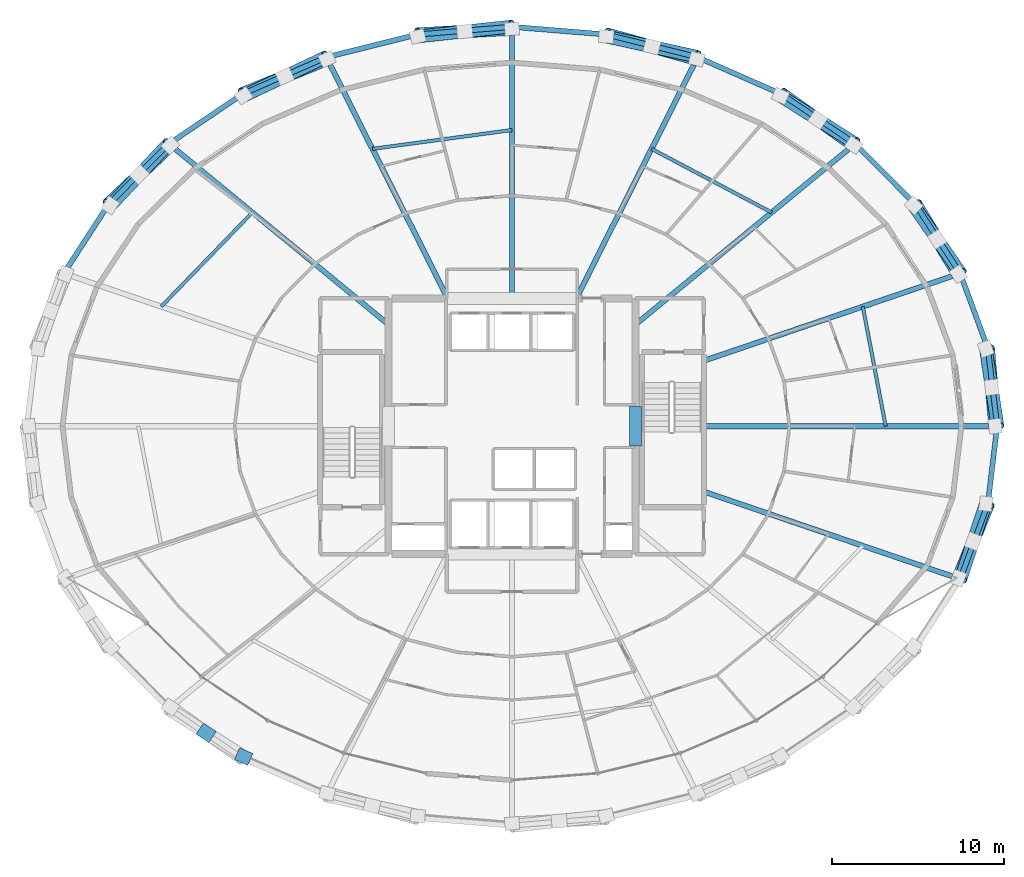
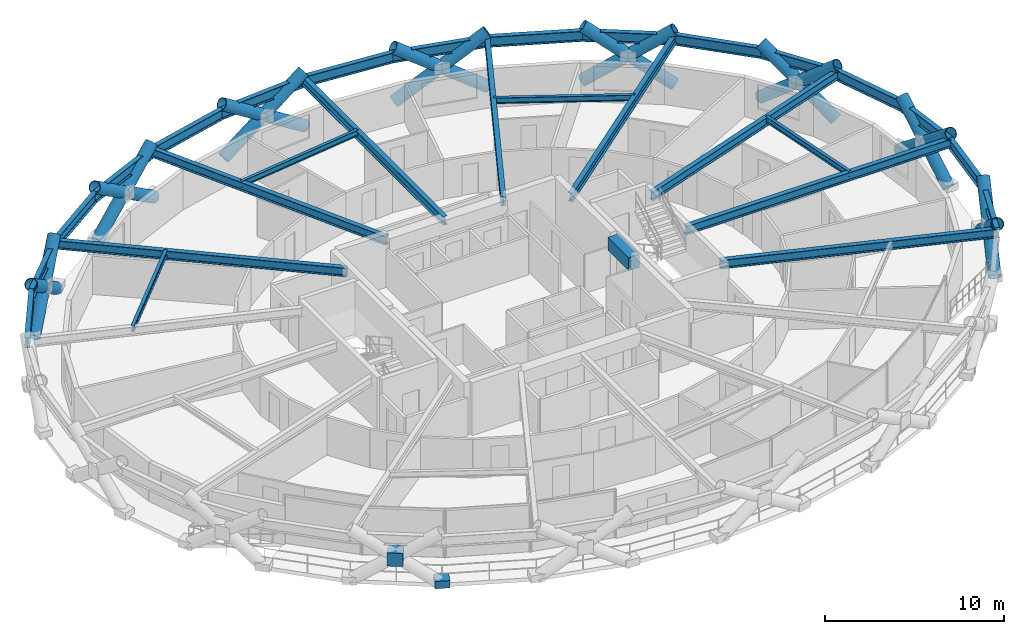
# One storey, part 11 of 19: 29 beams, 24 members, 2 plates.
"""IFC4 building model written with IfcOpenShell, lengths in metres."""

from ifc_helpers import new_model, si_unit, direction, frame, origin, origin_2d, place, context, subcontext, project, spatial, rectangle, hollow_circle, i_section, extrude, material, layer, layer_set, material_profile, profile_set, type_object, element, save


model = new_model("IFC4")

# Units and contexts
model_context = context("Model", 3, precision=1e-05, world=origin(), true_north=direction((0.0, 1.0)))
body_context = subcontext(model_context, "Body", "Model", "MODEL_VIEW")
ifc_project = project(units=[si_unit("LENGTHUNIT", "METRE"), si_unit("AREAUNIT", "SQUARE_METRE"), si_unit("VOLUMEUNIT", "CUBIC_METRE"), si_unit("PLANEANGLEUNIT", "RADIAN"), si_unit("MASSUNIT", "GRAM", prefix="KILO")], contexts=[model_context])

# Site, building, storey
site_placement = place(None, origin())
site = spatial("IfcSite", under=ifc_project, at=site_placement, CompositionType="ELEMENT")
building_placement = place(site_placement, origin())
building = spatial("IfcBuilding", under=site, at=building_placement, Name="Veldorina Hangang Commons", CompositionType="ELEMENT")
storey_placement = place(building_placement, frame((0.0, 0.0, 44.800048828125)))
storey = spatial("IfcBuildingStorey", under=building, at=storey_placement, Name="L10", CompositionType="ELEMENT", Elevation=44.800048828125)

# Beams
ifc_material_1 = material(Name="Concrete C70/85", Category="concrete")
ifc_material_profile_1 = material_profile(ifc_material_1, rectangle(XDim=0.699951171875, YDim=0.89990234375, at=origin_2d()), Name="RC-CB-700x900")
ifc_profile_set_1 = profile_set([ifc_material_profile_1], Name="Concrete C70/85")
beam_type_1 = type_object("IfcBeamType", Name="BM-CB900", PredefinedType="LINTEL", material=ifc_profile_set_1)
beam_1_placement = place(storey_placement, frame((39.199951171875, 22.85009765625, 2.889892578125), z_axis=(0.0, 1.0, 0.0), x_axis=(-1.0, 0.0, 0.0)))
element("IfcBeam", 1, at=beam_1_placement, inside=storey, type_object=beam_type_1, Name="L10 E core coupling lintel beam", PredefinedType="LINTEL", context=body_context, shape_type="SweptSolid", body=[
    extrude(rectangle(XDim=0.699951171875, YDim=0.89990234375, at=origin_2d()), origin(), (0.0, 0.0, 1.0), 2.2998046875),
])
ifc_material_2 = material(Name="Steel SM460-TMC", Category="steel")
ifc_material_profile_2 = material_profile(ifc_material_2, i_section(OverallWidth=0.300048828125, OverallDepth=0.587890625, WebThickness=0.011962890625, FlangeThickness=0.02001953125, FilletRadius=0.01806640625, at=origin_2d()), Name="H-588x300x12x20")
ifc_profile_set_2 = profile_set([ifc_material_profile_2], Name="Steel SM460-TMC")
beam_type_2 = type_object("IfcBeamType", Name="BM-FG588", PredefinedType="BEAM", material=ifc_profile_set_2)
beam_2_placement = place(storey_placement, frame((43.179931640625, 24.0, 3.0458984375), z_axis=(1.0, 0.0, 0.0), x_axis=(0.0, 1.0, 0.0)))
element("IfcBeam", 2, at=beam_2_placement, inside=storey, type_object=beam_type_2, Name="L10 radial floor girder 01", PredefinedType="BEAM", context=body_context, shape_type="SweptSolid", body=[
    extrude(i_section(OverallWidth=0.300048828125, OverallDepth=0.587890625, WebThickness=0.011962890625, FlangeThickness=0.02001953125, FilletRadius=0.01806640625, at=origin_2d()), origin(), (0.0, 0.0, 1.0), 17.09326171875),
])
beam_3_placement = place(storey_placement, frame((43.179931640625, 27.81201171875, 3.0458984375), z_axis=(0.946495801811, 0.32271612472, 0.0), x_axis=(-0.32271612472, 0.946495801811, 0.0)))
element("IfcBeam", 3, at=beam_3_placement, inside=storey, type_object=beam_type_2, Name="L10 radial floor girder 02", PredefinedType="BEAM", context=body_context, shape_type="SweptSolid", body=[
    extrude(i_section(OverallWidth=0.300048828125, OverallDepth=0.587890625, WebThickness=0.011962890625, FlangeThickness=0.02001953125, FilletRadius=0.01806640625, at=origin_2d()), origin(), (0.0, 0.0, 1.0), 15.785400390625),
])
beam_4_placement = place(storey_placement, frame((39.199951171875, 29.9267578125, 3.0458984375), z_axis=(0.772078234701, 0.635527497045, 0.0), x_axis=(-0.635527497045, 0.772078234701, 0.0)))
element("IfcBeam", 4, at=beam_4_placement, inside=storey, type_object=beam_type_2, Name="L10 radial floor girder 03", PredefinedType="BEAM", context=body_context, shape_type="SweptSolid", body=[
    extrude(i_section(OverallWidth=0.300048828125, OverallDepth=0.587890625, WebThickness=0.011962890625, FlangeThickness=0.02001953125, FilletRadius=0.01806640625, at=origin_2d()), origin(), (0.0, 0.0, 1.0), 16.568603515625),
])
beam_5_placement = place(storey_placement, frame((35.748779296875, 31.449951171875, 3.0458984375), z_axis=(0.449502945432, 0.893278848987, 0.0), x_axis=(-0.893278848987, 0.449502945432, 0.0)))
element("IfcBeam", 5, at=beam_5_placement, inside=storey, type_object=beam_type_2, Name="L10 radial floor girder 04", PredefinedType="BEAM", context=body_context, shape_type="SweptSolid", body=[
    extrude(i_section(OverallWidth=0.300048828125, OverallDepth=0.587890625, WebThickness=0.011962890625, FlangeThickness=0.02001953125, FilletRadius=0.01806640625, at=origin_2d()), origin(), (0.0, 0.0, 1.0), 15.730224609375),
])
beam_6_placement = place(storey_placement, frame((32.0, 31.449951171875, 3.0458984375), z_axis=(0.0, 1.0, 0.0), x_axis=(-1.0, 0.0, 0.0)))
element("IfcBeam", 6, at=beam_6_placement, inside=storey, type_object=beam_type_2, Name="L10 radial floor girder 05", PredefinedType="BEAM", context=body_context, shape_type="SweptSolid", body=[
    extrude(i_section(OverallWidth=0.300048828125, OverallDepth=0.587890625, WebThickness=0.011962890625, FlangeThickness=0.02001953125, FilletRadius=0.01806640625, at=origin_2d()), origin(), (0.0, 0.0, 1.0), 15.8232421875),
])
beam_7_placement = place(storey_placement, frame((28.251220703125, 31.449951171875, 3.0458984375), z_axis=(-0.449502945432, 0.893278848987, 0.0), x_axis=(-0.893278848987, -0.449502945432, 0.0)))
element("IfcBeam", 7, at=beam_7_placement, inside=storey, type_object=beam_type_2, Name="L10 radial floor girder 06", PredefinedType="BEAM", context=body_context, shape_type="SweptSolid", body=[
    extrude(i_section(OverallWidth=0.300048828125, OverallDepth=0.587890625, WebThickness=0.011962890625, FlangeThickness=0.02001953125, FilletRadius=0.01806640625, at=origin_2d()), origin(), (0.0, 0.0, 1.0), 15.730224609375),
])
beam_8_placement = place(storey_placement, frame((24.800048828125, 29.9267578125, 3.0458984375), z_axis=(-0.772078234701, 0.635527497045, 0.0), x_axis=(-0.635527497045, -0.772078234701, 0.0)))
element("IfcBeam", 8, at=beam_8_placement, inside=storey, type_object=beam_type_2, Name="L10 radial floor girder 07", PredefinedType="BEAM", context=body_context, shape_type="SweptSolid", body=[
    extrude(i_section(OverallWidth=0.300048828125, OverallDepth=0.587890625, WebThickness=0.011962890625, FlangeThickness=0.02001953125, FilletRadius=0.01806640625, at=origin_2d()), origin(), (0.0, 0.0, 1.0), 16.568603515625),
])
beam_9_placement = place(storey_placement, frame((43.179931640625, 20.18798828125, 3.0458984375), z_axis=(0.946495801811, -0.32271612472, 0.0), x_axis=(0.32271612472, 0.946495801811, 0.0)))
element("IfcBeam", 9, at=beam_9_placement, inside=storey, type_object=beam_type_2, Name="L10 radial floor girder 16", PredefinedType="BEAM", context=body_context, shape_type="SweptSolid", body=[
    extrude(i_section(OverallWidth=0.300048828125, OverallDepth=0.587890625, WebThickness=0.011962890625, FlangeThickness=0.02001953125, FilletRadius=0.01806640625, at=origin_2d()), origin(), (0.0, 0.0, 1.0), 15.785400390625),
])
ifc_material_3 = material(Name="Steel SM355-TMC", Category="steel")
ifc_material_profile_3 = material_profile(ifc_material_3, i_section(OverallWidth=0.199951171875, OverallDepth=0.39990234375, WebThickness=0.008056640625, FlangeThickness=0.012939453125, FilletRadius=0.012939453125, at=origin_2d()), Name="H-400x200x8x13")
ifc_profile_set_3 = profile_set([ifc_material_profile_3], Name="Steel SM355-TMC")
beam_type_3 = type_object("IfcBeamType", Name="BM-JST400", PredefinedType="JOIST", material=ifc_profile_set_3)
beam_10_placement = place(storey_placement, frame((53.777587890625, 24.0, 3.139892578125), z_axis=(-0.187998842427, 0.982169249797, 0.0), x_axis=(-0.982169249797, -0.187998842427, 0.0)))
element("IfcBeam", 10, at=beam_10_placement, inside=storey, type_object=beam_type_3, Name="L10 secondary floor joist 01", PredefinedType="JOIST", context=body_context, shape_type="SweptSolid", body=[
    extrude(i_section(OverallWidth=0.199951171875, OverallDepth=0.39990234375, WebThickness=0.008056640625, FlangeThickness=0.012939453125, FilletRadius=0.012939453125, at=origin_2d()), origin(), (0.0, 0.0, 1.0), 7.096923828125),
])
beam_11_placement = place(storey_placement, frame((47.131103515625, 36.455078125, 3.139892578125), z_axis=(-0.883693413733, 0.468066181779, 0.0), x_axis=(-0.468066181779, -0.883693413733, 0.0)))
element("IfcBeam", 11, at=beam_11_placement, inside=storey, type_object=beam_type_3, Name="L10 secondary floor joist 03", PredefinedType="JOIST", context=body_context, shape_type="SweptSolid", body=[
    extrude(i_section(OverallWidth=0.199951171875, OverallDepth=0.39990234375, WebThickness=0.008056640625, FlangeThickness=0.012939453125, FilletRadius=0.012939453125, at=origin_2d()), origin(), (0.0, 0.0, 1.0), 7.91943359375),
])
beam_12_placement = place(storey_placement, frame((32.0, 41.26025390625, 3.139892578125), z_axis=(-0.991002777755, -0.133841303348, 0.0), x_axis=(0.133841303348, -0.991002777755, 0.0)))
element("IfcBeam", 12, at=beam_12_placement, inside=storey, type_object=beam_type_3, Name="L10 secondary floor joist 05", PredefinedType="JOIST", context=body_context, shape_type="SweptSolid", body=[
    extrude(i_section(OverallWidth=0.199951171875, OverallDepth=0.39990234375, WebThickness=0.008056640625, FlangeThickness=0.012939453125, FilletRadius=0.012939453125, at=origin_2d()), origin(), (0.0, 0.0, 1.0), 8.20654296875),
])
beam_13_placement = place(storey_placement, frame((16.868896484375, 36.455078125, 3.139892578125), z_axis=(-0.695729750099, -0.71830363693, 0.0), x_axis=(0.71830363693, -0.695729750099, 0.0)))
element("IfcBeam", 13, at=beam_13_placement, inside=storey, type_object=beam_type_3, Name="L10 secondary floor joist 07", PredefinedType="JOIST", context=body_context, shape_type="SweptSolid", body=[
    extrude(i_section(OverallWidth=0.199951171875, OverallDepth=0.39990234375, WebThickness=0.008056640625, FlangeThickness=0.012939453125, FilletRadius=0.012939453125, at=origin_2d()), origin(), (0.0, 0.0, 1.0), 7.635498046875),
])
ifc_material_profile_4 = material_profile(ifc_material_2, i_section(OverallWidth=0.300048828125, OverallDepth=0.699951171875, WebThickness=0.012939453125, FlangeThickness=0.02392578125, FilletRadius=0.02197265625, at=origin_2d()), Name="H-700x300x13x24")
ifc_profile_set_4 = profile_set([ifc_material_profile_4], Name="Steel SM460-TMC")
beam_type_4 = type_object("IfcBeamType", Name="BM-RB700", PredefinedType="BEAM", material=ifc_profile_set_4)
beam_14_placement = place(storey_placement, frame((60.273193359375, 24.0, 2.989990234375), z_axis=(-0.118848364705, 0.992912416181, 0.0), x_axis=(-0.992912416181, -0.118848364705, 0.0)))
element("IfcBeam", 14, at=beam_14_placement, inside=storey, type_object=beam_type_4, Name="L10 perimeter hoop ring beam 00", PredefinedType="BEAM", context=body_context, shape_type="SweptSolid", body=[
    extrude(i_section(OverallWidth=0.300048828125, OverallDepth=0.699951171875, WebThickness=0.012939453125, FlangeThickness=0.02392578125, FilletRadius=0.02197265625, at=origin_2d()), origin(), (0.0, 0.0, 1.0), 4.57275390625),
])
beam_15_placement = place(storey_placement, frame((59.729736328125, 28.540283203125, 2.989990234375), z_axis=(-0.345775872121, 0.938317135226, 0.0), x_axis=(-0.938317135226, -0.345775872121, 0.0)))
element("IfcBeam", 15, at=beam_15_placement, inside=storey, type_object=beam_type_4, Name="L10 perimeter hoop ring beam 01", PredefinedType="BEAM", context=body_context, shape_type="SweptSolid", body=[
    extrude(i_section(OverallWidth=0.300048828125, OverallDepth=0.699951171875, WebThickness=0.012939453125, FlangeThickness=0.02392578125, FilletRadius=0.02197265625, at=origin_2d()), origin(), (0.0, 0.0, 1.0), 4.653076171875),
])
beam_16_placement = place(storey_placement, frame((58.120849609375, 32.90625, 2.989990234375), z_axis=(-0.544594750005, 0.838699325305, 0.0), x_axis=(-0.838699325305, -0.544594750005, 0.0)))
element("IfcBeam", 16, at=beam_16_placement, inside=storey, type_object=beam_type_4, Name="L10 perimeter hoop ring beam 02", PredefinedType="BEAM", context=body_context, shape_type="SweptSolid", body=[
    extrude(i_section(OverallWidth=0.300048828125, OverallDepth=0.699951171875, WebThickness=0.012939453125, FlangeThickness=0.02392578125, FilletRadius=0.02197265625, at=origin_2d()), origin(), (0.0, 0.0, 1.0), 4.797119140625),
])
beam_17_placement = place(storey_placement, frame((55.50830078125, 36.9296875, 2.989990234375), z_axis=(-0.706027455436, 0.708184461966, 0.0), x_axis=(-0.708184461966, -0.706027455436, 0.0)))
element("IfcBeam", 17, at=beam_17_placement, inside=storey, type_object=beam_type_4, Name="L10 perimeter hoop ring beam 03", PredefinedType="BEAM", context=body_context, shape_type="SweptSolid", body=[
    extrude(i_section(OverallWidth=0.300048828125, OverallDepth=0.699951171875, WebThickness=0.012939453125, FlangeThickness=0.02392578125, FilletRadius=0.02197265625, at=origin_2d()), origin(), (0.0, 0.0, 1.0), 4.980224609375),
])
beam_18_placement = place(storey_placement, frame((51.9921875, 40.45654296875, 2.989990234375), z_axis=(-0.828657041131, 0.559756650861, 0.0), x_axis=(-0.559756650861, -0.828657041131, 0.0)))
element("IfcBeam", 18, at=beam_18_placement, inside=storey, type_object=beam_type_4, Name="L10 perimeter hoop ring beam 04", PredefinedType="BEAM", context=body_context, shape_type="SweptSolid", body=[
    extrude(i_section(OverallWidth=0.300048828125, OverallDepth=0.699951171875, WebThickness=0.012939453125, FlangeThickness=0.02392578125, FilletRadius=0.02197265625, at=origin_2d()), origin(), (0.0, 0.0, 1.0), 5.170654296875),
])
beam_19_placement = place(storey_placement, frame((47.70751953125, 43.350830078125, 2.989990234375), z_axis=(-0.915319077128, 0.402729421628, 0.0), x_axis=(-0.402729421628, -0.915319077128, 0.0)))
element("IfcBeam", 19, at=beam_19_placement, inside=storey, type_object=beam_type_4, Name="L10 perimeter hoop ring beam 05", PredefinedType="BEAM", context=body_context, shape_type="SweptSolid", body=[
    extrude(i_section(OverallWidth=0.300048828125, OverallDepth=0.699951171875, WebThickness=0.012939453125, FlangeThickness=0.02392578125, FilletRadius=0.02197265625, at=origin_2d()), origin(), (0.0, 0.0, 1.0), 5.340087890625),
])
beam_20_placement = place(storey_placement, frame((42.819580078125, 45.50146484375, 2.989990234375), z_axis=(-0.970216014854, 0.242241376568, 0.0), x_axis=(-0.242241376568, -0.970216014854, 0.0)))
element("IfcBeam", 20, at=beam_20_placement, inside=storey, type_object=beam_type_4, Name="L10 perimeter hoop ring beam 06", PredefinedType="BEAM", context=body_context, shape_type="SweptSolid", body=[
    extrude(i_section(OverallWidth=0.300048828125, OverallDepth=0.699951171875, WebThickness=0.012939453125, FlangeThickness=0.02392578125, FilletRadius=0.02197265625, at=origin_2d()), origin(), (0.0, 0.0, 1.0), 5.466552734375),
])
for number, where, z_axis, x_axis, name in (
    (21, (37.515869140625, 46.82568359375, 2.989990234375), (-0.996725012995, 0.08086561983, 0.0), (-0.08086561983, -0.996725012995, 0.0), "L10 perimeter hoop ring beam 07"),
    (22, (32.0, 47.273193359375, 2.989990234375), (-0.996725012995, -0.08086561983, 0.0), (0.08086561983, -0.996725012995, 0.0), "L10 perimeter hoop ring beam 08"),
):
    element("IfcBeam", number, at=place(storey_placement, frame(where, z_axis=z_axis, x_axis=x_axis)), inside=storey, type_object=beam_type_4, Name=name, PredefinedType="BEAM", context=body_context, shape_type="SweptSolid", body=[
        extrude(i_section(OverallWidth=0.300048828125, OverallDepth=0.699951171875, WebThickness=0.012939453125, FlangeThickness=0.02392578125, FilletRadius=0.02197265625, at=origin_2d()), origin(), (0.0, 0.0, 1.0), 5.533935546875),
    ])
beam_21_placement = place(storey_placement, frame((26.484130859375, 46.82568359375, 2.989990234375), z_axis=(-0.970216014854, -0.242241376568, 0.0), x_axis=(0.242241376568, -0.970216014854, 0.0)))
element("IfcBeam", 23, at=beam_21_placement, inside=storey, type_object=beam_type_4, Name="L10 perimeter hoop ring beam 09", PredefinedType="BEAM", context=body_context, shape_type="SweptSolid", body=[
    extrude(i_section(OverallWidth=0.300048828125, OverallDepth=0.699951171875, WebThickness=0.012939453125, FlangeThickness=0.02392578125, FilletRadius=0.02197265625, at=origin_2d()), origin(), (0.0, 0.0, 1.0), 5.466552734375),
])
beam_22_placement = place(storey_placement, frame((21.180419921875, 45.50146484375, 2.989990234375), z_axis=(-0.915319077128, -0.402729421628, 0.0), x_axis=(0.402729421628, -0.915319077128, 0.0)))
element("IfcBeam", 24, at=beam_22_placement, inside=storey, type_object=beam_type_4, Name="L10 perimeter hoop ring beam 10", PredefinedType="BEAM", context=body_context, shape_type="SweptSolid", body=[
    extrude(i_section(OverallWidth=0.300048828125, OverallDepth=0.699951171875, WebThickness=0.012939453125, FlangeThickness=0.02392578125, FilletRadius=0.02197265625, at=origin_2d()), origin(), (0.0, 0.0, 1.0), 5.340087890625),
])
beam_23_placement = place(storey_placement, frame((16.29248046875, 43.350830078125, 2.989990234375), z_axis=(-0.828657041131, -0.559756650861, 0.0), x_axis=(0.559756650861, -0.828657041131, 0.0)))
element("IfcBeam", 25, at=beam_23_placement, inside=storey, type_object=beam_type_4, Name="L10 perimeter hoop ring beam 11", PredefinedType="BEAM", context=body_context, shape_type="SweptSolid", body=[
    extrude(i_section(OverallWidth=0.300048828125, OverallDepth=0.699951171875, WebThickness=0.012939453125, FlangeThickness=0.02392578125, FilletRadius=0.02197265625, at=origin_2d()), origin(), (0.0, 0.0, 1.0), 5.170654296875),
])
beam_24_placement = place(storey_placement, frame((12.0078125, 40.45654296875, 2.989990234375), z_axis=(-0.706027455436, -0.708184461966, 0.0), x_axis=(0.708184461966, -0.706027455436, 0.0)))
element("IfcBeam", 26, at=beam_24_placement, inside=storey, type_object=beam_type_4, Name="L10 perimeter hoop ring beam 12", PredefinedType="BEAM", context=body_context, shape_type="SweptSolid", body=[
    extrude(i_section(OverallWidth=0.300048828125, OverallDepth=0.699951171875, WebThickness=0.012939453125, FlangeThickness=0.02392578125, FilletRadius=0.02197265625, at=origin_2d()), origin(), (0.0, 0.0, 1.0), 4.980224609375),
])
beam_25_placement = place(storey_placement, frame((8.49169921875, 36.9296875, 2.989990234375), z_axis=(-0.544594750005, -0.838699325305, 0.0), x_axis=(0.838699325305, -0.544594750005, 0.0)))
element("IfcBeam", 27, at=beam_25_placement, inside=storey, type_object=beam_type_4, Name="L10 perimeter hoop ring beam 13", PredefinedType="BEAM", context=body_context, shape_type="SweptSolid", body=[
    extrude(i_section(OverallWidth=0.300048828125, OverallDepth=0.699951171875, WebThickness=0.012939453125, FlangeThickness=0.02392578125, FilletRadius=0.02197265625, at=origin_2d()), origin(), (0.0, 0.0, 1.0), 4.797119140625),
])
beam_26_placement = place(storey_placement, frame((58.120849609375, 15.09375, 2.989990234375), z_axis=(0.345775872121, 0.938317135226, 0.0), x_axis=(-0.938317135226, 0.345775872121, 0.0)))
element("IfcBeam", 28, at=beam_26_placement, inside=storey, type_object=beam_type_4, Name="L10 perimeter hoop ring beam 30", PredefinedType="BEAM", context=body_context, shape_type="SweptSolid", body=[
    extrude(i_section(OverallWidth=0.300048828125, OverallDepth=0.699951171875, WebThickness=0.012939453125, FlangeThickness=0.02392578125, FilletRadius=0.02197265625, at=origin_2d()), origin(), (0.0, 0.0, 1.0), 4.653076171875),
])
beam_27_placement = place(storey_placement, frame((59.729736328125, 19.459716796875, 2.989990234375), z_axis=(0.118848364705, 0.992912416181, 0.0), x_axis=(-0.992912416181, 0.118848364705, 0.0)))
element("IfcBeam", 29, at=beam_27_placement, inside=storey, type_object=beam_type_4, Name="L10 perimeter hoop ring beam 31", PredefinedType="BEAM", context=body_context, shape_type="SweptSolid", body=[
    extrude(i_section(OverallWidth=0.300048828125, OverallDepth=0.699951171875, WebThickness=0.012939453125, FlangeThickness=0.02392578125, FilletRadius=0.02197265625, at=origin_2d()), origin(), (0.0, 0.0, 1.0), 4.57275390625),
])

# Members
ifc_material_profile_5 = material_profile(ifc_material_2, hollow_circle(Radius=0.375, WallThickness=0.035888671875, at=origin_2d()), Name="CHS-750x36")
ifc_profile_set_5 = profile_set([ifc_material_profile_5], Name="Steel SM460-TMC")
member_type = type_object("IfcMemberType", Name="DG-CHS750", PredefinedType="BRACE", material=ifc_profile_set_5)
member_1_placement = place(storey_placement, frame((60.15087890625, 24.0, 0.0), z_axis=(-0.068222944551, 0.782085319397, 0.619425688054), x_axis=(-0.996216857447, -0.086902088226, 0.0)))
element("IfcMember", 30, at=member_1_placement, inside=storey, type_object=member_type, Name="L10 continuous perimeter diagrid brace 00", PredefinedType="BRACE", context=body_context, shape_type="SweptSolid", body=[
    extrude(hollow_circle(Radius=0.375, WallThickness=0.035888671875, at=origin_2d()), origin(), (0.0, 0.0, 1.0), 5.8115234375),
])
member_2_placement = place(storey_placement, frame((59.60986328125, 28.5166015625, 0.0), z_axis=(0.118401740997, -0.776516681178, 0.618872257887), x_axis=(0.988574077865, 0.150735837054, 0.0)))
element("IfcMember", 31, at=member_2_placement, inside=storey, type_object=member_type, Name="L10 split perimeter diagrid lower brace 01", PredefinedType="BRACE", context=body_context, shape_type="SweptSolid", body=[
    extrude(hollow_circle(Radius=0.375, WallThickness=0.035888671875, at=origin_2d()), origin(), (0.0, 0.0, 1.0), 2.899169921875),
])
member_3_placement = place(storey_placement, frame((59.953125, 26.265380859375, 1.794189453125), z_axis=(0.118244861362, -0.776499694673, 0.618923563078), x_axis=(0.988603330598, 0.150543863146, 0.0)))
element("IfcMember", 32, at=member_3_placement, inside=storey, type_object=member_type, Name="L10 split perimeter diagrid upper brace 01", PredefinedType="BRACE", context=body_context, shape_type="SweptSolid", body=[
    extrude(hollow_circle(Radius=0.375, WallThickness=0.035888671875, at=origin_2d()), origin(), (0.0, 0.0, 1.0), 2.91748046875),
])
member_4_placement = place(storey_placement, frame((58.0078125, 32.859375, 0.0), z_axis=(-0.414404734367, 0.682743431281, 0.601772484562), x_axis=(-0.854853086028, -0.518870119884, 0.0)))
element("IfcMember", 33, at=member_4_placement, inside=storey, type_object=member_type, Name="L10 continuous perimeter diagrid brace 02", PredefinedType="BRACE", context=body_context, shape_type="SweptSolid", body=[
    extrude(hollow_circle(Radius=0.375, WallThickness=0.035888671875, at=origin_2d()), origin(), (0.0, 0.0, 1.0), 5.982177734375),
])
member_5_placement = place(storey_placement, frame((55.406494140625, 36.86181640625, 0.0), z_axis=(0.456470962401, -0.65720720972, 0.599760738943), x_axis=(0.821324840422, 0.570460784371, 0.0)))
element("IfcMember", 34, at=member_5_placement, inside=storey, type_object=member_type, Name="L10 split perimeter diagrid lower brace 03", PredefinedType="BRACE", context=body_context, shape_type="SweptSolid", body=[
    extrude(hollow_circle(Radius=0.375, WallThickness=0.035888671875, at=origin_2d()), origin(), (0.0, 0.0, 1.0), 2.991943359375),
])
member_6_placement = place(storey_placement, frame((56.772216796875, 34.8955078125, 1.79443359375), z_axis=(0.455674231097, -0.65771846564, 0.59980614791), x_axis=(0.821998732713, 0.569489318089, 0.0)))
element("IfcMember", 35, at=member_6_placement, inside=storey, type_object=member_type, Name="L10 split perimeter diagrid upper brace 03", PredefinedType="BRACE", context=body_context, shape_type="SweptSolid", body=[
    extrude(hollow_circle(Radius=0.375, WallThickness=0.035888671875, at=origin_2d()), origin(), (0.0, 0.0, 1.0), 3.010009765625),
])
member_7_placement = place(storey_placement, frame((51.905517578125, 40.3701171875, 0.0), z_axis=(-0.665952245182, 0.477723007484, 0.572964514833), x_axis=(-0.582887460589, -0.812552895686, 0.0)))
element("IfcMember", 36, at=member_7_placement, inside=storey, type_object=member_type, Name="L10 continuous perimeter diagrid brace 04", PredefinedType="BRACE", context=body_context, shape_type="SweptSolid", body=[
    extrude(hollow_circle(Radius=0.375, WallThickness=0.035888671875, at=origin_2d()), origin(), (0.0, 0.0, 1.0), 6.282958984375),
])
member_8_placement = place(storey_placement, frame((47.6396484375, 43.249267578125, 0.0), z_axis=(0.693300911079, -0.439758407196, 0.570917148102), x_axis=(0.535632513689, 0.844451188808, 0.0)))
element("IfcMember", 37, at=member_8_placement, inside=storey, type_object=member_type, Name="L10 split perimeter diagrid lower brace 05", PredefinedType="BRACE", context=body_context, shape_type="SweptSolid", body=[
    extrude(hollow_circle(Radius=0.375, WallThickness=0.035888671875, at=origin_2d()), origin(), (0.0, 0.0, 1.0), 3.14404296875),
])
member_9_placement = place(storey_placement, frame((49.8193359375, 41.86669921875, 1.794921875), z_axis=(0.692846732288, -0.440481248437, 0.570911267478), x_axis=(0.536510273207, 0.843893788781, 0.0)))
element("IfcMember", 38, at=member_9_placement, inside=storey, type_object=member_type, Name="L10 split perimeter diagrid upper brace 05", PredefinedType="BRACE", context=body_context, shape_type="SweptSolid", body=[
    extrude(hollow_circle(Radius=0.375, WallThickness=0.035888671875, at=origin_2d()), origin(), (0.0, 0.0, 1.0), 3.161376953125),
])
member_10_placement = place(storey_placement, frame((42.772705078125, 45.388671875, 0.0), z_axis=(-0.803926961098, 0.223740736152, 0.551036772099), x_axis=(-0.268119641266, -0.96338562267, 0.0)))
element("IfcMember", 39, at=member_10_placement, inside=storey, type_object=member_type, Name="L10 continuous perimeter diagrid brace 06", PredefinedType="BRACE", context=body_context, shape_type="SweptSolid", body=[
    extrude(hollow_circle(Radius=0.375, WallThickness=0.035888671875, at=origin_2d()), origin(), (0.0, 0.0, 1.0), 6.532958984375),
])
member_11_placement = place(storey_placement, frame((37.491943359375, 46.7060546875, 0.0), z_axis=(0.815486896378, -0.180330084121, 0.549965619469), x_axis=(0.215915741586, 0.976411999381, 0.0)))
element("IfcMember", 40, at=member_11_placement, inside=storey, type_object=member_type, Name="L10 split perimeter diagrid lower brace 07", PredefinedType="BRACE", context=body_context, shape_type="SweptSolid", body=[
    extrude(hollow_circle(Radius=0.375, WallThickness=0.035888671875, at=origin_2d()), origin(), (0.0, 0.0, 1.0), 3.26416015625),
])
member_12_placement = place(storey_placement, frame((40.15380859375, 46.117431640625, 1.795166015625), z_axis=(0.81535927443, -0.18073623632, 0.550021514563), x_axis=(0.216411580244, 0.976302221618, 0.0)))
element("IfcMember", 41, at=member_12_placement, inside=storey, type_object=member_type, Name="L10 split perimeter diagrid upper brace 07", PredefinedType="BRACE", context=body_context, shape_type="SweptSolid", body=[
    extrude(hollow_circle(Radius=0.375, WallThickness=0.035888671875, at=origin_2d()), origin(), (0.0, 0.0, 1.0), 3.281005859375),
])
member_13_placement = place(storey_placement, frame((32.0, 47.15087890625, 0.0), z_axis=(-0.83678527237, -0.045552676349, 0.545632991691), x_axis=(0.054357229541, -0.998521552895, 0.0)))
element("IfcMember", 42, at=member_13_placement, inside=storey, type_object=member_type, Name="L10 continuous perimeter diagrid brace 08", PredefinedType="BRACE", context=body_context, shape_type="SweptSolid", body=[
    extrude(hollow_circle(Radius=0.375, WallThickness=0.035888671875, at=origin_2d()), origin(), (0.0, 0.0, 1.0), 6.59765625),
])
member_14_placement = place(storey_placement, frame((26.508056640625, 46.7060546875, 0.0), z_axis=(0.832977807874, 0.0896984482, 0.545987325842), x_axis=(-0.107065112275, 0.994252011179, 0.0)))
element("IfcMember", 43, at=member_14_placement, inside=storey, type_object=member_type, Name="L10 split perimeter diagrid lower brace 09", PredefinedType="BRACE", context=body_context, shape_type="SweptSolid", body=[
    extrude(hollow_circle(Radius=0.375, WallThickness=0.035888671875, at=origin_2d()), origin(), (0.0, 0.0, 1.0), 3.287841796875),
])
member_15_placement = place(storey_placement, frame((29.246826171875, 47.0009765625, 1.795166015625), z_axis=(0.832952180971, 0.089891177108, 0.545994725702), x_axis=(-0.10729577336, 0.994227145586, 0.0)))
element("IfcMember", 44, at=member_15_placement, inside=storey, type_object=member_type, Name="L10 split perimeter diagrid upper brace 09", PredefinedType="BRACE", context=body_context, shape_type="SweptSolid", body=[
    extrude(hollow_circle(Radius=0.375, WallThickness=0.035888671875, at=origin_2d()), origin(), (0.0, 0.0, 1.0), 3.305419921875),
])
member_16_placement = place(storey_placement, frame((21.227294921875, 45.388671875, 0.0), z_axis=(-0.768029756298, -0.313046958388, 0.558687654495), x_axis=(0.377447803378, -0.926030861108, 0.0)))
element("IfcMember", 45, at=member_16_placement, inside=storey, type_object=member_type, Name="L10 continuous perimeter diagrid brace 10", PredefinedType="BRACE", context=body_context, shape_type="SweptSolid", body=[
    extrude(hollow_circle(Radius=0.375, WallThickness=0.035888671875, at=origin_2d()), origin(), (0.0, 0.0, 1.0), 6.443359375),
])
member_17_placement = place(storey_placement, frame((16.3603515625, 43.249267578125, 0.0), z_axis=(0.748879539406, 0.353825959241, 0.560345095477), x_axis=(-0.427192285675, 0.904160799338, 0.0)))
element("IfcMember", 46, at=member_17_placement, inside=storey, type_object=member_type, Name="L10 split perimeter diagrid lower brace 11", PredefinedType="BRACE", context=body_context, shape_type="SweptSolid", body=[
    extrude(hollow_circle(Radius=0.375, WallThickness=0.035888671875, at=origin_2d()), origin(), (0.0, 0.0, 1.0), 3.20361328125),
])
member_18_placement = place(storey_placement, frame((18.759521484375, 44.3828125, 1.795166015625), z_axis=(0.748640567884, 0.354423741564, 0.560286633371), x_axis=(-0.427893587532, 0.903829119773, 0.0)))
element("IfcMember", 47, at=member_18_placement, inside=storey, type_object=member_type, Name="L10 split perimeter diagrid upper brace 11", PredefinedType="BRACE", context=body_context, shape_type="SweptSolid", body=[
    extrude(hollow_circle(Radius=0.375, WallThickness=0.035888671875, at=origin_2d()), origin(), (0.0, 0.0, 1.0), 3.220947265625),
])
member_19_placement = place(storey_placement, frame((12.094482421875, 40.3701171875, 0.0), z_axis=(-0.589108784887, -0.557114870689, 0.585298095355), x_axis=(0.687102085978, -0.726560887638, 0.0)))
element("IfcMember", 48, at=member_19_placement, inside=storey, type_object=member_type, Name="L10 continuous perimeter diagrid brace 12", PredefinedType="BRACE", context=body_context, shape_type="SweptSolid", body=[
    extrude(hollow_circle(Radius=0.375, WallThickness=0.035888671875, at=origin_2d()), origin(), (0.0, 0.0, 1.0), 6.150390625),
])
member_20_placement = place(storey_placement, frame((8.593505859375, 36.86181640625, 0.0), z_axis=(0.554701971555, 0.589225995717, 0.58746782782), x_axis=(-0.728115910105, 0.685454025775, 0.0)))
element("IfcMember", 49, at=member_20_placement, inside=storey, type_object=member_type, Name="L10 split perimeter diagrid lower brace 13", PredefinedType="BRACE", context=body_context, shape_type="SweptSolid", body=[
    extrude(hollow_circle(Radius=0.375, WallThickness=0.035888671875, at=origin_2d()), origin(), (0.0, 0.0, 1.0), 3.054931640625),
])
member_21_placement = place(storey_placement, frame((10.2880859375, 38.661865234375, 1.794677734375), z_axis=(0.553995080253, 0.589831537682, 0.587527197848), x_axis=(-0.728903011162, 0.684616973437, 0.0)))
element("IfcMember", 50, at=member_21_placement, inside=storey, type_object=member_type, Name="L10 split perimeter diagrid upper brace 13", PredefinedType="BRACE", context=body_context, shape_type="SweptSolid", body=[
    extrude(hollow_circle(Radius=0.375, WallThickness=0.035888671875, at=origin_2d()), origin(), (0.0, 0.0, 1.0), 3.072509765625),
])
member_22_placement = place(storey_placement, frame((58.0078125, 15.140625, 0.0), z_axis=(0.296833956703, 0.733205598113, 0.611799928933), x_axis=(-0.926920315475, 0.375258216112, 0.0)))
element("IfcMember", 51, at=member_22_placement, inside=storey, type_object=member_type, Name="L10 continuous perimeter diagrid brace 30", PredefinedType="BRACE", context=body_context, shape_type="SweptSolid", body=[
    extrude(hollow_circle(Radius=0.375, WallThickness=0.035888671875, at=origin_2d()), origin(), (0.0, 0.0, 1.0), 5.884033203125),
])
member_23_placement = place(storey_placement, frame((59.60986328125, 19.4833984375, 0.0), z_axis=(-0.249980279636, -0.749273334823, 0.613269377611), x_axis=(0.948598756491, -0.316481277778, 0.0)))
element("IfcMember", 52, at=member_23_placement, inside=storey, type_object=member_type, Name="L10 split perimeter diagrid lower brace 31", PredefinedType="BRACE", context=body_context, shape_type="SweptSolid", body=[
    extrude(hollow_circle(Radius=0.375, WallThickness=0.035888671875, at=origin_2d()), origin(), (0.0, 0.0, 1.0), 2.926025390625),
])
member_24_placement = place(storey_placement, frame((58.87841796875, 17.291015625, 1.79443359375), z_axis=(-0.249502464403, -0.749502417994, 0.613184022687), x_axis=(0.948809184845, -0.315849854763, 0.0)))
element("IfcMember", 53, at=member_24_placement, inside=storey, type_object=member_type, Name="L10 split perimeter diagrid upper brace 31", PredefinedType="BRACE", context=body_context, shape_type="SweptSolid", body=[
    extrude(hollow_circle(Radius=0.375, WallThickness=0.035888671875, at=origin_2d()), origin(), (0.0, 0.0, 1.0), 2.9443359375),
])

# Plates
ifc_layer = layer(ifc_material_2, 0.035888671875)
ifc_layer_set = layer_set([ifc_layer], Name="Steel SM460-TMC")
plate_type = type_object("IfcPlateType", Name="PL-STAR-36", PredefinedType="USERDEFINED", material=ifc_layer_set)
plate_1_placement = place(storey_placement, frame((14.1806640625, 6.13330078125, 1.344970703125), z_axis=(0.0, 0.0, 1.0), x_axis=(0.828881384115, -0.559424392628, 0.0)))
element("IfcPlate", 54, at=plate_1_placement, inside=storey, type_object=plate_type, Name="L10 diagrid X-crossing star-node gusset plate 20", ObjectType="GUSSET PLATE", PredefinedType="USERDEFINED", context=body_context, shape_type="SweptSolid", body=[
    extrude(rectangle(XDim=0.89990234375, YDim=0.780029296875, at=origin_2d()), origin(), (0.0, 0.0, 1.0), 0.89990234375),
])
plate_2_placement = place(storey_placement, frame((16.3603515625, 4.750732421875, -0.090087890625), z_axis=(0.0, 0.0, 1.0), x_axis=(0.915459032008, -0.402411183636, 0.0)))
element("IfcPlate", 55, at=plate_2_placement, inside=storey, type_object=plate_type, Name="L10 diagrid star-node gusset plate 21", ObjectType="GUSSET PLATE", PredefinedType="USERDEFINED", context=body_context, shape_type="SweptSolid", body=[
    extrude(rectangle(XDim=0.85009765625, YDim=0.75, at=origin_2d()), origin(), (0.0, 0.0, 1.0), 0.5),
])

save(model, "model.ifc")
